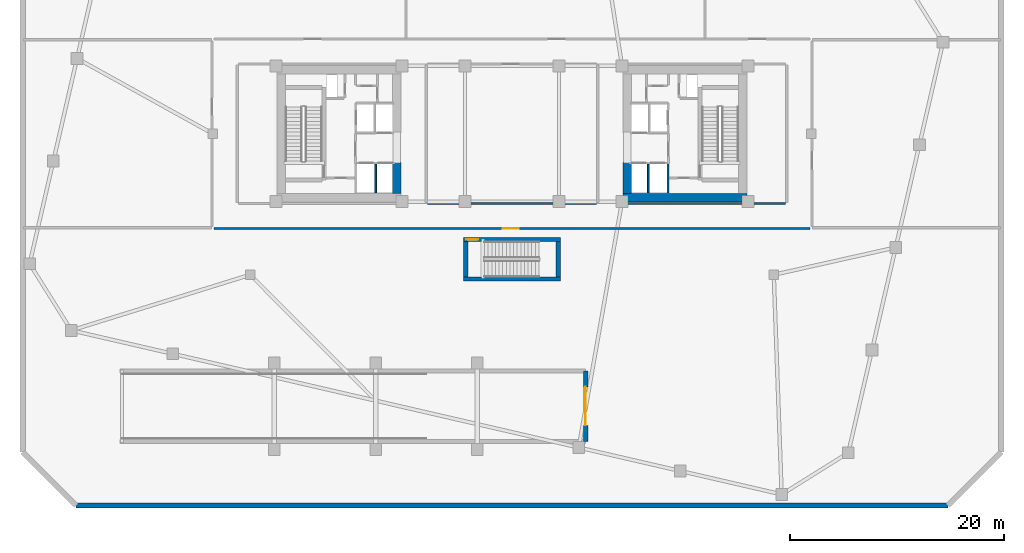
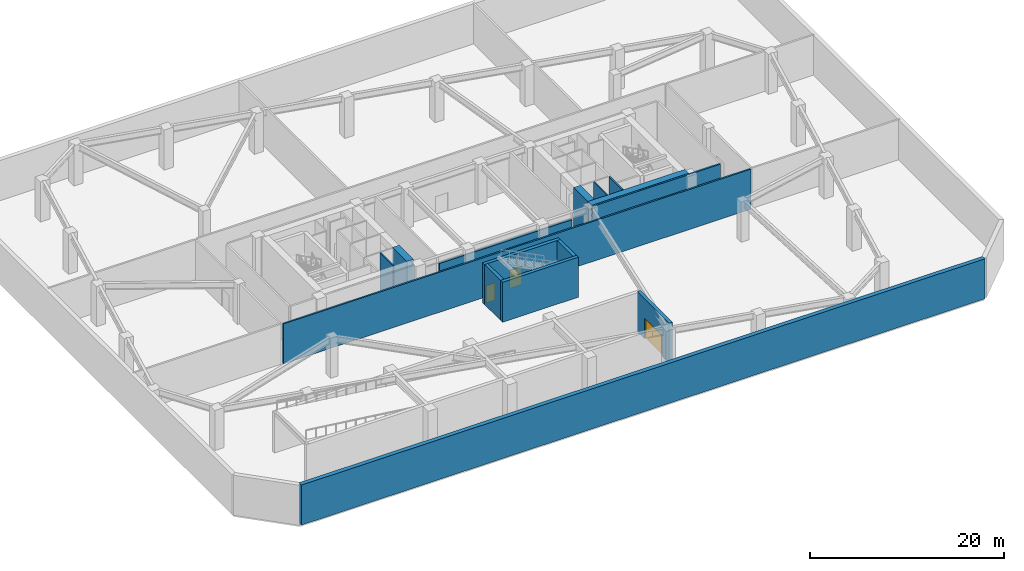
# One storey, part 4 of 11: 15 walls, 3 doors, 3 openings.
"""IFC4 building model written with IfcOpenShell, lengths in metres."""

from ifc_helpers import new_model, si_unit, direction, frame, frame_2d, origin, place, context, subcontext, project, spatial, rectangle, extrude, material, layer, layer_set, type_object, element, fill, save


model = new_model("IFC4")

# Units and contexts
model_context = context("Model", 3, precision=1e-05, world=origin(), true_north=direction((0.0, 1.0)))
body_context = subcontext(model_context, "Body", "Model", "MODEL_VIEW")
ifc_project = project(units=[si_unit("LENGTHUNIT", "METRE"), si_unit("AREAUNIT", "SQUARE_METRE"), si_unit("VOLUMEUNIT", "CUBIC_METRE"), si_unit("PLANEANGLEUNIT", "RADIAN"), si_unit("MASSUNIT", "GRAM", prefix="KILO")], contexts=[model_context])

# Site, building, storey
site_placement = place(None, origin())
site = spatial("IfcSite", under=ifc_project, at=site_placement, CompositionType="ELEMENT")
building_placement = place(site_placement, origin())
building = spatial("IfcBuilding", under=site, at=building_placement, Name="Tavrogorsk Clinical Tower", CompositionType="ELEMENT")
storey_placement = place(building_placement, frame((0.0, 0.0, -5.39990234375)))
storey = spatial("IfcBuildingStorey", under=building, at=storey_placement, Name="B1", CompositionType="ELEMENT", Elevation=-5.39990234375)

# Wall, opening, door
ifc_material_1 = material(Name="Concrete B60", Category="concrete")
ifc_layer_1 = layer(ifc_material_1, 0.199951171875)
ifc_layer_set_1 = layer_set([ifc_layer_1], Name="Concrete B60")
wall_type_1 = type_object("IfcWallType", Name="CoreFireWall_200", PredefinedType="SOLIDWALL", material=ifc_layer_set_1)
wall_1_placement = place(storey_placement, frame((27.89501953125, -8.8798828125, 0.0), z_axis=(0.0, 0.0, 1.0), x_axis=(-1.0, 0.0, 0.0)))
wall_1 = element("IfcWall", 1, at=wall_1_placement, inside=storey, type_object=wall_type_1, Name="B1 Corridor Fire Wall 04", PredefinedType="SOLIDWALL", context=body_context, shape_type="SweptSolid", body=[
    extrude(rectangle(XDim=55.7900390625, YDim=0.199951171875, at=frame_2d((27.89501953125, 0.0))), origin(), (0.0, 0.0, 1.0), 5.0498046875),
])
opening_1_placement = place(wall_1_placement, frame((27.25, 0.0, 0.0)))
opening_1 = element("IfcOpeningElement", 2, at=opening_1_placement, cuts=wall_1, Name="Opening FD-03", PredefinedType="OPENING", context=body_context, shape_type="SweptSolid", body=[
    extrude(rectangle(XDim=1.5, YDim=2.300048828125, at=frame_2d((0.75, 1.14990234375))), frame((0.0, 0.10986328125, 0.0), z_axis=(0.0, -1.0, 0.0), x_axis=(1.0, 0.0, 0.0)), (0.0, 0.0, 1.0), 0.219970703125),
])
ifc_material_2 = material(Name="Galvanised steel double fire door assembly", Category="steel")
door_type_1 = type_object("IfcDoorType", Name="FireDoor_FD03_1500", OperationType="DOUBLE_SWING_LEFT", PredefinedType="DOOR", material=ifc_material_2)
door_1_placement = place(opening_1_placement, origin())
door_1 = element("IfcDoor", 3, at=door_1_placement, inside=storey, type_object=door_type_1, Name="B1 Subterranean Staff & MGN Car Park Fire Door", OperationType="DOUBLE_SWING_LEFT", OverallHeight=2.300048828125, OverallWidth=1.5, PredefinedType="DOOR", context=body_context, shape_type="SweptSolid", body=[
    extrude(rectangle(XDim=1.5, YDim=2.300048828125, at=frame_2d((0.75, 1.14990234375))), frame((0.0, 0.02490234375, 0.0), z_axis=(0.0, -1.0, 0.0), x_axis=(1.0, 0.0, 0.0)), (0.0, 0.0, 1.0), 0.050048828125),
])
fill(opening_1, door_1)

# Walls
wall_2_placement = place(storey_placement, frame((10.3798828125, -6.52001953125, 0.0), z_axis=(0.0, 0.0, 1.0), x_axis=(1.0, 0.0, 0.0)))
element("IfcWall", 4, at=wall_2_placement, inside=storey, type_object=wall_type_1, Name="B1 Corridor Fire Wall 06", PredefinedType="SOLIDWALL", context=body_context, shape_type="SweptSolid", body=[
    extrude(rectangle(XDim=15.235107421875, YDim=0.199951171875, at=frame_2d((7.61767578125, 0.0))), origin(), (0.0, 0.0, 1.0), 5.0498046875),
])
wall_3_placement = place(storey_placement, frame((-7.9150390625, -6.52001953125, 0.0), z_axis=(0.0, 0.0, 1.0), x_axis=(1.0, 0.0, 0.0)))
element("IfcWall", 5, at=wall_3_placement, inside=storey, type_object=wall_type_1, Name="B1 Corridor Fire Wall 11", PredefinedType="SOLIDWALL", context=body_context, shape_type="SweptSolid", body=[
    extrude(rectangle(XDim=15.830078125, YDim=0.199951171875, at=frame_2d((7.9150390625, 0.0))), origin(), (0.0, 0.0, 1.0), 4.244873046875),
])
ifc_material_3 = material(Name="Lightweight concrete blockwork B25", Category="masonry")
ifc_layer_2 = layer(ifc_material_3, 0.159912109375)
ifc_layer_set_2 = layer_set([ifc_layer_2], Name="Lightweight concrete blockwork B25")
wall_type_2 = type_object("IfcWallType", Name="ShaftWall_160", PredefinedType="PARTITIONING", material=ifc_layer_set_2)
for number, where, z_axis, x_axis, name in (
    (6, (-12.75, -5.5400390625, 0.0), (0.0, 0.0, 1.0), (0.0, 1.0, 0.0), "B1 LP-L1 Lift Hoistway Divider Wall"),
    (7, (12.75, -5.5400390625, 0.0), (0.0, 0.0, 1.0), (0.0, 1.0, 0.0), "B1 LP-L2 Lift Hoistway Divider Wall"),
    (8, (14.610107421875, -5.5400390625, 0.0), (0.0, 0.0, 1.0), (0.0, 1.0, 0.0), "B1 LP-L2 Lift Hoistway Outer Cheek Wall"),
):
    element("IfcWall", number, at=place(storey_placement, frame(where, z_axis=z_axis, x_axis=x_axis)), inside=storey, type_object=wall_type_2, Name=name, PredefinedType="PARTITIONING", context=body_context, shape_type="SweptSolid", body=[
        extrude(rectangle(XDim=2.699951171875, YDim=0.159912109375, at=frame_2d((1.35009765625, 0.0))), origin(), (0.0, 0.0, 1.0), 5.0498046875),
    ])

# Wall, opening, door
ifc_material_4 = material(Name="Concrete B80", Category="concrete")
ifc_layer_3 = layer(ifc_material_4, 0.39990234375)
ifc_layer_set_3 = layer_set([ifc_layer_3], Name="Concrete B80")
wall_type_3 = type_object("IfcWallType", Name="ShearWall_400", PredefinedType="SHEAR", material=ifc_layer_set_3)
wall_4_placement = place(storey_placement, frame((6.89990234375, -28.800048828125, 0.0), z_axis=(0.0, 0.0, 1.0), x_axis=(0.0, 1.0, 0.0)))
wall_4 = element("IfcWall", 9, at=wall_4_placement, inside=storey, type_object=wall_type_3, Name="B1 Vehicle Ramp Airlock Portal Wall", PredefinedType="SHEAR", context=body_context, shape_type="SweptSolid", body=[
    extrude(rectangle(XDim=6.60009765625, YDim=0.39990234375, at=frame_2d((3.300048828125, 0.0))), origin(), (0.0, 0.0, 1.0), 5.0498046875),
])
opening_2_placement = place(wall_4_placement, frame((1.5, 0.0, 0.0)))
opening_2 = element("IfcOpeningElement", 10, at=opening_2_placement, cuts=wall_4, Name="Opening VD-01", PredefinedType="OPENING", context=body_context, shape_type="SweptSolid", body=[
    extrude(rectangle(XDim=3.60009765625, YDim=2.60009765625, at=frame_2d((1.800048828125, 1.300048828125))), frame((0.0, 0.2099609375, 0.0), z_axis=(0.0, -1.0, 0.0), x_axis=(1.0, 0.0, 0.0)), (0.0, 0.0, 1.0), 0.419921875),
])
ifc_material_5 = material(Name="Insulated galvanised steel fire-rated roller shutter", Category="steel")
door_type_2 = type_object("IfcDoorType", Name="VehicleGateDoor_VD01_3600", OperationType="ROLLINGUP", PredefinedType="GATE", material=ifc_material_5)
door_2_placement = place(opening_2_placement, origin())
door_2 = element("IfcDoor", 11, at=door_2_placement, inside=storey, type_object=door_type_2, Name="B1 Car-Park Roller-Shutter Airlock Gate", OperationType="ROLLINGUP", OverallHeight=2.60009765625, OverallWidth=3.60009765625, PredefinedType="GATE", context=body_context, shape_type="SweptSolid", body=[
    extrude(rectangle(XDim=3.60009765625, YDim=2.60009765625, at=frame_2d((1.800048828125, 1.300048828125))), frame((0.0, 0.02490234375, 0.0), z_axis=(0.0, -1.0, 0.0), x_axis=(1.0, 0.0, 0.0)), (0.0, 0.0, 1.0), 0.050048828125),
])
fill(opening_2, door_2)

# Wall
wall_5_placement = place(storey_placement, frame((-4.52490234375, -13.60009765625, 0.0), z_axis=(0.0, 0.0, 1.0), x_axis=(1.0, 0.0, 0.0)))
element("IfcWall", 12, at=wall_5_placement, inside=storey, type_object=wall_type_3, Name="B1 Podium Stair South Shaft Wall", PredefinedType="SHEAR", context=body_context, shape_type="SweptSolid", body=[
    extrude(rectangle(XDim=9.0498046875, YDim=0.39990234375, at=frame_2d((4.52490234375, 0.0))), origin(), (0.0, 0.0, 1.0), 5.0498046875),
])

# Wall, opening, door
wall_6_placement = place(storey_placement, frame((-4.52490234375, -9.89990234375, 0.0), z_axis=(0.0, 0.0, 1.0), x_axis=(1.0, 0.0, 0.0)))
wall_6 = element("IfcWall", 13, at=wall_6_placement, inside=storey, type_object=wall_type_3, Name="B1 Podium Stair North Shaft Wall", PredefinedType="SHEAR", context=body_context, shape_type="SweptSolid", body=[
    extrude(rectangle(XDim=9.0498046875, YDim=0.39990234375, at=frame_2d((4.52490234375, 0.0))), origin(), (0.0, 0.0, 1.0), 5.0498046875),
])
opening_3_placement = place(wall_6_placement, frame((0.25, 0.0, 0.0)))
opening_3 = element("IfcOpeningElement", 14, at=opening_3_placement, cuts=wall_6, Name="Opening SD-01", PredefinedType="OPENING", context=body_context, shape_type="SweptSolid", body=[
    extrude(rectangle(XDim=1.10009765625, YDim=2.199951171875, at=frame_2d((0.550048828125, 1.10009765625))), frame((0.0, 0.2099609375, 0.0), z_axis=(0.0, -1.0, 0.0), x_axis=(1.0, 0.0, 0.0)), (0.0, 0.0, 1.0), 0.419921875),
])
ifc_material_6 = material(Name="Galvanised steel smoke-tight fire door assembly", Category="steel")
door_type_3 = type_object("IfcDoorType", Name="StairFireDoor_SD01_1100", OperationType="NOTDEFINED", PredefinedType="DOOR", material=ifc_material_6)
door_3_placement = place(opening_3_placement, origin())
door_3 = element("IfcDoor", 15, at=door_3_placement, inside=storey, type_object=door_type_3, Name="B1 ST-P Podium Stair Door", OperationType="SINGLE_SWING_RIGHT", OverallHeight=2.199951171875, OverallWidth=1.10009765625, PredefinedType="DOOR", context=body_context, shape_type="SweptSolid", body=[
    extrude(rectangle(XDim=1.10009765625, YDim=2.199951171875, at=frame_2d((0.550048828125, 1.10009765625))), frame((0.0, 0.02490234375, 0.0), z_axis=(0.0, -1.0, 0.0), x_axis=(1.0, 0.0, 0.0)), (0.0, 0.0, 1.0), 0.050048828125),
])
fill(opening_3, door_3)

# Walls
for number, where, z_axis, x_axis, name in (
    (16, (-4.324951171875, -13.39990234375, 0.0), (0.0, 0.0, 1.0), (0.0, 1.0, 0.0), "B1 Podium Stair West Shaft Wall"),
    (17, (4.324951171875, -13.39990234375, 0.0), (0.0, 0.0, 1.0), (0.0, 1.0, 0.0), "B1 Podium Stair East Shaft Wall"),
):
    element("IfcWall", number, at=place(storey_placement, frame(where, z_axis=z_axis, x_axis=x_axis)), inside=storey, type_object=wall_type_3, Name=name, PredefinedType="SHEAR", context=body_context, shape_type="SweptSolid", body=[
        extrude(rectangle(XDim=3.2998046875, YDim=0.39990234375, at=frame_2d((1.64990234375, 0.0))), origin(), (0.0, 0.0, 1.0), 5.0498046875),
    ])
ifc_material_7 = material(Name="Concrete B60", Category="concrete")
ifc_layer_4 = layer(ifc_material_7, 0.5)
ifc_layer_set_4 = layer_set([ifc_layer_4], Name="Concrete B60")
wall_type_4 = type_object("IfcWallType", Name="ShearWall_500", PredefinedType="SHEAR", material=ifc_layer_set_4)
wall_7_placement = place(storey_placement, frame((-40.800048828125, -34.800048828125, 0.0), z_axis=(0.0, 0.0, 1.0), x_axis=(1.0, 0.0, 0.0)))
element("IfcWall", 18, at=wall_7_placement, inside=storey, type_object=wall_type_4, Name="B1 Retaining Wall 1", PredefinedType="SHEAR", context=body_context, shape_type="SweptSolid", body=[
    extrude(rectangle(XDim=81.60009765625, YDim=0.5, at=frame_2d((40.800048828125, 0.0))), origin(), (0.0, 0.0, 1.0), 5.0498046875),
])
ifc_material_8 = material(Name="Concrete B80", Category="concrete")
ifc_layer_5 = layer(ifc_material_8, 0.800048828125)
ifc_layer_set_5 = layer_set([ifc_layer_5], Name="Concrete B80")
wall_type_5 = type_object("IfcWallType", Name="ShearWall_800", PredefinedType="SHEAR", material=ifc_layer_set_5)
wall_8_placement = place(storey_placement, frame((-10.800048828125, -5.60009765625, 0.0), z_axis=(0.0, 0.0, 1.0), x_axis=(0.0, 1.0, 0.0)))
element("IfcWall", 19, at=wall_8_placement, inside=storey, type_object=wall_type_5, Name="B1 Core West Inner South Pier", PredefinedType="SHEAR", context=body_context, shape_type="SweptSolid", body=[
    extrude(rectangle(XDim=2.9501953125, YDim=0.800048828125, at=frame_2d((1.47509765625, 0.0))), origin(), (0.0, 0.0, 1.0), 5.0498046875),
])
wall_9_placement = place(storey_placement, frame((10.39990234375, -6.0, 0.0), z_axis=(0.0, 0.0, 1.0), x_axis=(1.0, 0.0, 0.0)))
element("IfcWall", 20, at=wall_9_placement, inside=storey, type_object=wall_type_5, Name="B1 Core East South Shear Wall", PredefinedType="SHEAR", context=body_context, shape_type="SweptSolid", body=[
    extrude(rectangle(XDim=11.60009765625, YDim=0.800048828125, at=frame_2d((5.800048828125, 0.0))), origin(), (0.0, 0.0, 1.0), 5.0498046875),
])
wall_10_placement = place(storey_placement, frame((10.800048828125, -5.60009765625, 0.0), z_axis=(0.0, 0.0, 1.0), x_axis=(0.0, 1.0, 0.0)))
element("IfcWall", 21, at=wall_10_placement, inside=storey, type_object=wall_type_5, Name="B1 Core East Inner South Pier", PredefinedType="SHEAR", context=body_context, shape_type="SweptSolid", body=[
    extrude(rectangle(XDim=2.9501953125, YDim=0.800048828125, at=frame_2d((1.47509765625, 0.0))), origin(), (0.0, 0.0, 1.0), 5.0498046875),
])

save(model, "model.ifc")
